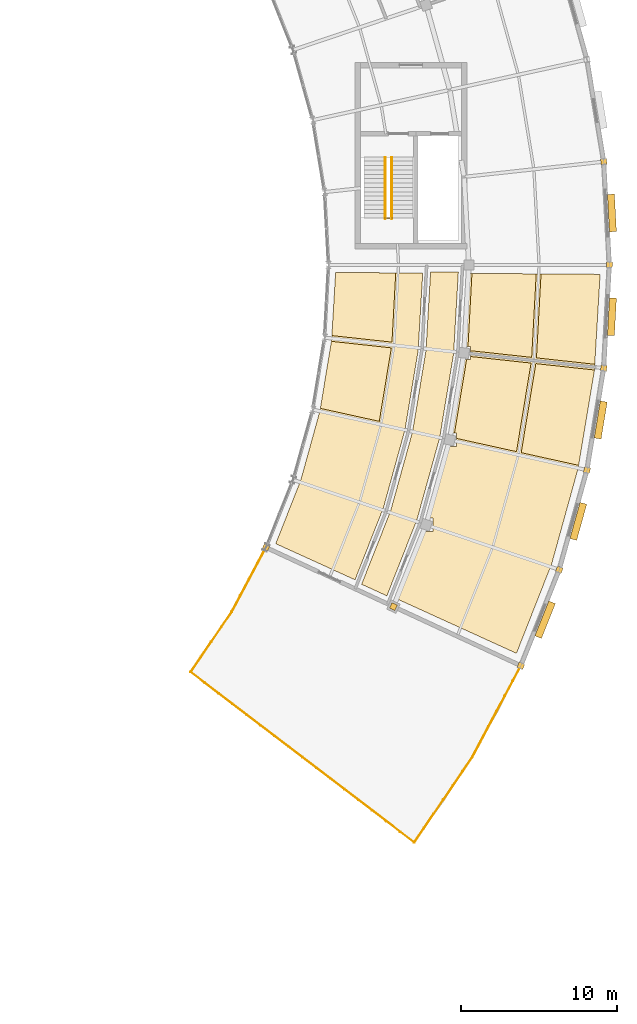
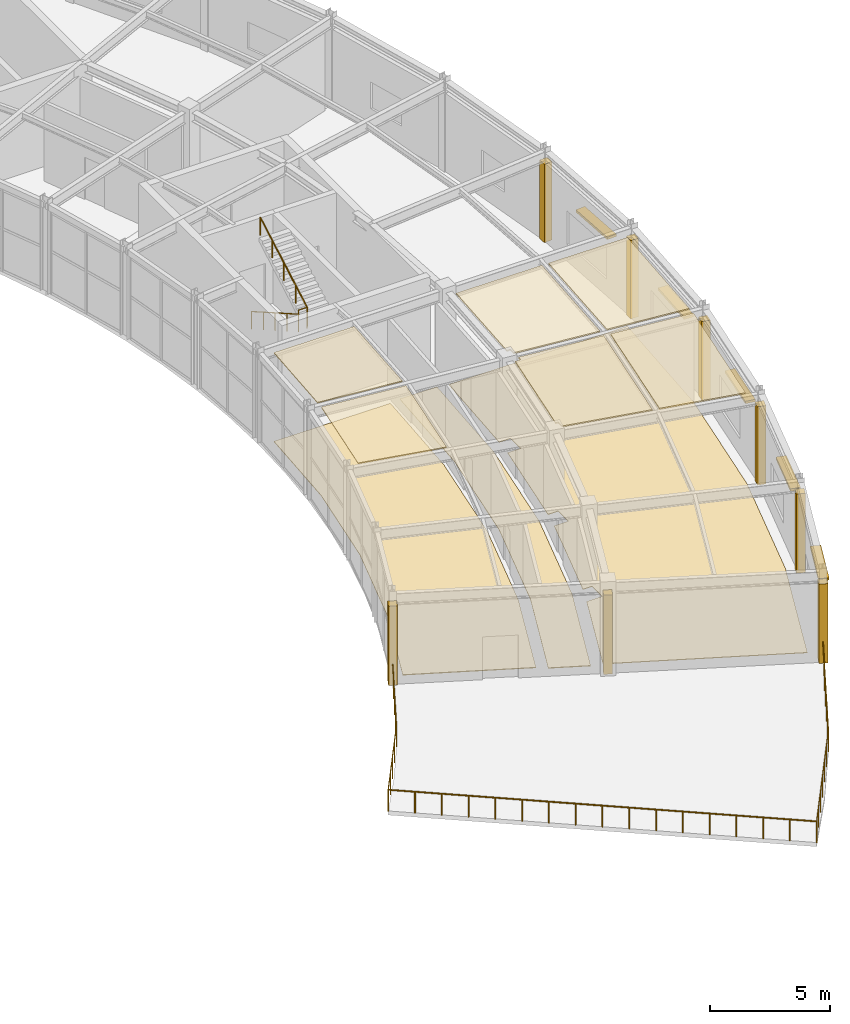
# One storey, part 106 of 108: 17 coverings, 8 railings, 5 shading devices.
"""IFC4 building model written with IfcOpenShell, lengths in metres."""

import ifcopenshell
import ifcopenshell.guid

model = None  # the IFC model being written
_history = None  # IfcOwnerHistory: only IFC2X3 demands one
_inside = {}  # id of a spatial element -> (the spatial element, [elements in it])
_under = {}  # id of a project, library or spatial element -> (it, [spatial elements below it])
_declared = {}  # id of a project -> (the project, [libraries it declares])
_typed = {}  # id of a type object -> (the type object, [elements of that type])
_made_of = {}  # id of a material, layer set ... -> (it, [elements and type objects made of it])


def new_model(schema):
    """Start an empty IFC model of exactly this schema.

    Asked for "IFC4X3", IfcOpenShell would pick the latest addendum, in which some entities
    have other attributes; the version numbers below select the first issue.
    IFC2X3 requires an IfcOwnerHistory on every rooted entity: one is made here for all.
    """
    global model, _history
    if schema == "IFC4X3":
        model = ifcopenshell.file(schema_version=(4, 3, 0, 0))
    else:
        model = ifcopenshell.file(schema=schema)
    _inside.clear()
    _under.clear()
    _declared.clear()
    _typed.clear()
    _made_of.clear()
    _history = None
    if model.schema == "IFC2X3":
        org = make("IfcOrganization", Name="unknown")
        user = make(
            "IfcPersonAndOrganization",
            ThePerson=make("IfcPerson", FamilyName="unknown"),
            TheOrganization=org,
        )
        app = make(
            "IfcApplication",
            ApplicationDeveloper=org,
            Version="unknown",
            ApplicationFullName="unknown",
            ApplicationIdentifier="unknown",
        )
        _history = make(
            "IfcOwnerHistory",
            OwningUser=user,
            OwningApplication=app,
            ChangeAction="ADDED",
            CreationDate=0,
        )
    return model


def make(cls, **values):
    """One entity of the class cls with the attributes given. An attribute that is None is left unset."""
    return model.create_entity(
        cls, **{name: value for name, value in values.items() if value is not None}
    )


def rooted(cls, **values):
    """An entity with a GlobalId (a new one), such as an element, a storey or a relation."""
    return make(cls, GlobalId=ifcopenshell.guid.new(), OwnerHistory=_history, **values)


def si_unit(unit_type, name, prefix=None):
    """IfcSIUnit, for example si_unit("LENGTHUNIT", "METRE", prefix="MILLI")."""
    return make("IfcSIUnit", UnitType=unit_type, Prefix=prefix, Name=name)


def assignment(units):
    """IfcUnitAssignment: the units of a project."""
    return None if units is None else make("IfcUnitAssignment", Units=units)


def point(xyz):
    """IfcCartesianPoint."""
    return None if xyz is None else make("IfcCartesianPoint", Coordinates=xyz)


def direction(xyz):
    """IfcDirection."""
    return None if xyz is None else make("IfcDirection", DirectionRatios=xyz)


def frame(location, z_axis=None, x_axis=None):
    """IfcAxis2Placement3D, a coordinate frame: its origin and axes. An axis left out is left unset."""
    return make(
        "IfcAxis2Placement3D",
        Location=point(location),
        Axis=direction(z_axis),
        RefDirection=direction(x_axis),
    )


def frame_2d(location, x_axis=None):
    """IfcAxis2Placement2D, a coordinate frame in the plane: its origin and x axis."""
    return make(
        "IfcAxis2Placement2D", Location=point(location), RefDirection=direction(x_axis)
    )


def origin():
    """The frame at (0, 0, 0) with its axes left unset."""
    return frame((0.0, 0.0, 0.0))


def origin_2d():
    """The frame at (0, 0) in the plane with its x axis left unset."""
    return frame_2d((0.0, 0.0))


def place(relative_to, where):
    """IfcLocalPlacement: puts the frame where relative to a parent placement (None: the world)."""
    return make(
        "IfcLocalPlacement", PlacementRelTo=relative_to, RelativePlacement=where
    )


def context(
    kind, dimensions, precision=None, world=None, true_north=None, identifier=None
):
    """IfcGeometricRepresentationContext, for example the 3D "Model" context."""
    return make(
        "IfcGeometricRepresentationContext",
        ContextIdentifier=identifier,
        ContextType=kind,
        CoordinateSpaceDimension=dimensions,
        Precision=precision,
        WorldCoordinateSystem=world,
        TrueNorth=true_north,
    )


def subcontext(parent, identifier, kind, view, scale=None):
    """IfcGeometricRepresentationSubContext, for example "Body" below "Model"."""
    return make(
        "IfcGeometricRepresentationSubContext",
        ContextIdentifier=identifier,
        ContextType=kind,
        ParentContext=parent,
        TargetScale=scale,
        TargetView=view,
    )


def project(units=None, contexts=None):
    """IfcProject with its units and contexts."""
    return rooted(
        "IfcProject",
        Name="project",
        RepresentationContexts=contexts,
        UnitsInContext=assignment(units),
    )


def spatial(cls, under=None, at=None, **own):
    """A site, building, storey or space (cls), placed at a placement, below another one or the project."""
    s = rooted(cls, ObjectPlacement=at, **own)
    if under is not None:
        _under.setdefault(under.id(), (under, []))[1].append(s)
    return s


def polyline(points):
    """IfcPolyline through the points."""
    return make("IfcPolyline", Points=[point(p) for p in points])


def profile(cls, at=None, kind="AREA", **sizes):
    """A parametric profile (cls). Its sizes go by their IFC names, for example OverallWidth=200.0."""
    return make(cls, ProfileType=kind, Position=at, **sizes)


def rectangle(**sizes):
    """IfcRectangleProfileDef."""
    return profile("IfcRectangleProfileDef", **sizes)


def circle(**sizes):
    """IfcCircleProfileDef."""
    return profile("IfcCircleProfileDef", **sizes)


def outline(outer, holes=None, kind="AREA"):
    """IfcArbitraryClosedProfileDef: a profile drawn as a closed curve; with holes, ...WithVoids."""
    if holes is None:
        return make("IfcArbitraryClosedProfileDef", ProfileType=kind, OuterCurve=outer)
    return make(
        "IfcArbitraryProfileDefWithVoids",
        ProfileType=kind,
        OuterCurve=outer,
        InnerCurves=holes,
    )


def extrude(swept, where, along, depth):
    """IfcExtrudedAreaSolid: the profile swept, set in the frame where, extruded along a direction by depth."""
    return make(
        "IfcExtrudedAreaSolid",
        SweptArea=swept,
        Position=where,
        ExtrudedDirection=direction(along),
        Depth=depth,
    )


def shape(context_of_items, identifier, shape_type, items):
    """IfcShapeRepresentation: the items that make up one representation, for example the "Body"."""
    return make(
        "IfcShapeRepresentation",
        ContextOfItems=context_of_items,
        RepresentationIdentifier=identifier,
        RepresentationType=shape_type,
        Items=items,
    )


def material(Name=None, Category=None):
    """IfcMaterial."""
    return make("IfcMaterial", Name=Name, Category=Category)


def layer(
    of_material, thickness, ventilated=None, Name=None, Category=None, Priority=None
):
    """IfcMaterialLayer: one layer of a wall or slab, of a material (None: an air gap)."""
    return make(
        "IfcMaterialLayer",
        Material=of_material,
        LayerThickness=thickness,
        IsVentilated=ventilated,
        Name=Name,
        Category=Category,
        Priority=Priority,
    )


def layer_set(layers, Name=None):
    """IfcMaterialLayerSet."""
    return make("IfcMaterialLayerSet", MaterialLayers=layers, LayerSetName=Name)


def made_of(thing, what):
    """Note that an element or type object is made of a material, layer set ...; save() writes the relation."""
    if what is not None:
        _made_of.setdefault(what.id(), (what, []))[1].append(thing)
    return thing


def type_object(cls, material=None, **own):
    """A type object (cls), such as IfcWallType, which elements share."""
    return made_of(rooted(cls, **own), material)


def element(
    cls,
    number,
    at=None,
    inside=None,
    cuts=None,
    type_object=None,
    material=None,
    context=None,
    identifier="Body",
    shape_type=None,
    held_by="IfcProductDefinitionShape",
    body=None,
    shapes=None,
    **own,
):
    """One element of the class cls, such as IfcWall. Its Tag is "e" and its number.

    at: its placement. inside: the storey or other place that contains it. cuts: it is an
    opening in that element (IfcRelVoidsElement). A single representation is given by context,
    identifier, shape_type and body (its items); several are given by shapes. held_by: the class
    of the entity that holds the representations. save() writes the other relations.
    """
    e = rooted(cls, Tag="e%d" % number, ObjectPlacement=at, **own)
    if body is not None:
        shapes = [shape(context, identifier, shape_type, body)]
    if shapes is not None:
        e.Representation = make(held_by, Representations=shapes)
    if inside is not None:
        _inside.setdefault(inside.id(), (inside, []))[1].append(e)
    if cuts is not None:
        rooted(
            "IfcRelVoidsElement", RelatingBuildingElement=cuts, RelatedOpeningElement=e
        )
    if type_object is not None:
        _typed.setdefault(type_object.id(), (type_object, []))[1].append(e)
    return made_of(e, material)


def aggregate(whole, parts):
    """IfcRelAggregates: a whole, such as a stair, and the parts it consists of."""
    return rooted("IfcRelAggregates", RelatingObject=whole, RelatedObjects=parts)


def save(model, path):
    """Write the relations noted so far, then the file.

    IfcRelAggregates (storeys below a building ...), IfcRelContainedInSpatialStructure (elements
    in a storey), IfcRelDefinesByType, IfcRelAssociatesMaterial and IfcRelDeclares: one each for
    every whole, place, type object, material and project.
    """
    for whole, parts in _under.values():
        aggregate(whole, parts)
    for where, things in _inside.values():
        rooted(
            "IfcRelContainedInSpatialStructure",
            RelatedElements=things,
            RelatingStructure=where,
        )
    for kind, things in _typed.values():
        rooted("IfcRelDefinesByType", RelatedObjects=things, RelatingType=kind)
    for what, things in _made_of.values():
        rooted("IfcRelAssociatesMaterial", RelatedObjects=things, RelatingMaterial=what)
    for by, libraries in _declared.values():
        rooted("IfcRelDeclares", RelatingContext=by, RelatedDefinitions=libraries)
    model.write(path)


model = new_model("IFC4")

# Units and contexts
model_context = context("Model", 3, precision=1e-05, world=origin(), true_north=direction((0.0, 1.0)))
body_context = subcontext(model_context, "Body", "Model", "MODEL_VIEW")
ifc_project = project(units=[si_unit("LENGTHUNIT", "METRE"), si_unit("AREAUNIT", "SQUARE_METRE"), si_unit("VOLUMEUNIT", "CUBIC_METRE"), si_unit("PLANEANGLEUNIT", "RADIAN"), si_unit("MASSUNIT", "GRAM", prefix="KILO")], contexts=[model_context])

# Site, building, storey
site_placement = place(None, origin())
site = spatial("IfcSite", under=ifc_project, at=site_placement, CompositionType="ELEMENT")
building_placement = place(site_placement, origin())
building = spatial("IfcBuilding", under=site, at=building_placement, Name="Tarnveldt Headland Concert Hall", CompositionType="ELEMENT")
storey_placement = place(building_placement, frame((0.0, 0.0, 9.60009765625)))
storey = spatial("IfcBuildingStorey", under=building, at=storey_placement, Name="L02", CompositionType="ELEMENT", Elevation=9.60009765625)

# Coverings
ifc_material_1 = material(Name="Micro-perforated mvule acoustic ceiling panel", Category="timber")
ifc_layer_1 = layer(ifc_material_1, 0.050048828125, Name="Micro-perforated mvule acoustic ceiling panel", Category="timber")
ifc_layer_set_1 = layer_set([ifc_layer_1], Name="Micro-perforated mvule acoustic ceiling panel")
covering_type_1 = type_object("IfcCoveringType", Name="CV-CEIL50", PredefinedType="CEILING", material=ifc_layer_set_1)
covering_1_placement = place(storey_placement, frame((0.0, 0.0, 4.5)))
element("IfcCovering", 1, at=covering_1_placement, inside=storey, type_object=covering_type_1, Name="Acoustic mvule ceiling L02-34-293", PredefinedType="CEILING", context=body_context, shape_type="SweptSolid", body=[
    extrude(outline(polyline([(164.575927734375, 55.053466796875), (160.7275390625, 55.47314453125), (160.968505859375, 59.5166015625), (164.81689453125, 59.489501953125), (164.575927734375, 55.053466796875)])), origin(), (0.0, 0.0, 1.0), 0.0498046875),
])
covering_2_placement = place(storey_placement, frame((0.0, 0.0, 4.5)))
element("IfcCovering", 2, at=covering_2_placement, inside=storey, type_object=covering_type_1, Name="Acoustic mvule ceiling L02-34-294", PredefinedType="CEILING", context=body_context, shape_type="SweptSolid", body=[
    extrude(outline(polyline([(160.701904296875, 55.103759765625), (164.535888671875, 54.685791015625), (163.762451171875, 49.98046875), (159.989013671875, 50.81298828125), (160.701904296875, 55.103759765625)])), origin(), (0.0, 0.0, 1.0), 0.0498046875),
])
ifc_layer_2 = layer(ifc_material_1, 0.06494140625, Name="Micro-perforated mvule acoustic ceiling panel", Category="timber")
ifc_layer_set_2 = layer_set([ifc_layer_2], Name="Micro-perforated mvule acoustic ceiling panel")
covering_type_2 = type_object("IfcCoveringType", Name="CV-CEIL65", PredefinedType="CEILING", material=ifc_layer_set_2)
covering_3_placement = place(storey_placement, frame((0.0, 0.0, 4.48486328125)))
element("IfcCovering", 3, at=covering_3_placement, inside=storey, type_object=covering_type_2, Name="Acoustic mvule ceiling L02-36-297", PredefinedType="CEILING", context=body_context, shape_type="SweptSolid", body=[
    extrude(outline(polyline([(173.83154296875, 54.04443359375), (174.1240234375, 59.4248046875), (177.907470703125, 59.398193359375), (177.564208984375, 53.637451171875), (173.83154296875, 54.04443359375)])), origin(), (0.0, 0.0, 1.0), 0.06494140625),
])
covering_4_placement = place(storey_placement, frame((0.0, 0.0, 4.48486328125)))
element("IfcCovering", 4, at=covering_4_placement, inside=storey, type_object=covering_type_2, Name="Acoustic mvule ceiling L02-36-298", PredefinedType="CEILING", context=body_context, shape_type="SweptSolid", body=[
    extrude(outline(polyline([(169.61865234375, 54.7890625), (169.447265625, 54.7890625), (169.70068359375, 59.45556640625), (173.813720703125, 59.4267578125), (173.52294921875, 54.078125), (169.61865234375, 54.50390625), (169.61865234375, 54.7890625)])), origin(), (0.0, 0.0, 1.0), 0.06494140625),
])
covering_5_placement = place(storey_placement, frame((0.0, 0.0, 4.48486328125)))
element("IfcCovering", 5, at=covering_5_placement, inside=storey, type_object=covering_type_2, Name="Acoustic mvule ceiling L02-36-299", PredefinedType="CEILING", context=body_context, shape_type="SweptSolid", body=[
    extrude(outline(polyline([(173.79150390625, 53.676513671875), (177.5419921875, 53.267578125), (177.54052734375, 53.24169921875), (176.530517578125, 47.16259765625), (172.854248046875, 47.97412109375), (173.79150390625, 53.676513671875)])), origin(), (0.0, 0.0, 1.0), 0.06494140625),
])
covering_6_placement = place(storey_placement, frame((0.0, 0.0, 4.48486328125)))
element("IfcCovering", 6, at=covering_6_placement, inside=storey, type_object=covering_type_2, Name="Acoustic mvule ceiling L02-36-300", PredefinedType="CEILING", context=body_context, shape_type="SweptSolid", body=[
    extrude(outline(polyline([(168.581298828125, 49.219482421875), (169.35693359375, 53.93896484375), (169.61865234375, 53.93896484375), (169.61865234375, 54.131591796875), (173.48291015625, 53.710205078125), (172.551025390625, 48.041015625), (168.703369140625, 48.89013671875), (168.703369140625, 49.219482421875), (168.581298828125, 49.219482421875)])), origin(), (0.0, 0.0, 1.0), 0.06494140625),
])
ifc_material_2 = material(Name="Treated East African mvule hardwood", Category="wood")
ifc_layer_3 = layer(ifc_material_2, 0.028076171875, Name="Treated East African mvule hardwood", Category="wood")
ifc_layer_set_3 = layer_set([ifc_layer_3], Name="Treated East African mvule hardwood")
covering_type_3 = type_object("IfcCoveringType", Name="CV-FLOR28", PredefinedType="FLOORING", material=ifc_layer_set_3)
covering_7_placement = place(storey_placement, origin())
element("IfcCovering", 7, at=covering_7_placement, inside=storey, type_object=covering_type_3, Name="Architectural flooring L02-36-93", PredefinedType="FLOORING", context=body_context, shape_type="SweptSolid", body=[
    extrude(outline(polyline([(166.4375, 42.931884765625), (167.189697265625, 42.931884765625), (167.189697265625, 43.78173828125), (166.74755859375, 43.78173828125), (168.01611328125, 48.369384765625), (168.703369140625, 48.369384765625), (168.703369140625, 49.219482421875), (168.20751953125, 49.219482421875), (168.99169921875, 53.93896484375), (169.61865234375, 53.93896484375), (169.61865234375, 54.7890625), (169.070068359375, 54.7890625), (169.34814453125, 59.4580078125), (177.907470703125, 59.398193359375), (177.54052734375, 53.24169921875), (176.500244140625, 46.97998046875), (174.80859375, 40.86181640625), (172.550537109375, 35.122802734375), (165.095458984375, 38.5185546875), (165.095458984375, 38.540283203125), (165.047607421875, 38.540283203125), (164.760986328125, 38.6708984375), (166.4375, 42.931884765625)])), origin(), (0.0, 0.0, 1.0), 0.02783203125),
])
ifc_material_3 = material(Name="Polished coral-aggregate cementitious terrazzo flooring", Category="concrete")
ifc_layer_4 = layer(ifc_material_3, 0.034912109375, Name="Polished coral-aggregate cementitious terrazzo flooring", Category="concrete")
ifc_layer_set_4 = layer_set([ifc_layer_4], Name="Polished coral-aggregate cementitious terrazzo flooring")
covering_type_4 = type_object("IfcCoveringType", Name="CV-FLOR35", PredefinedType="FLOORING", material=ifc_layer_set_4)
covering_8_placement = place(storey_placement, origin())
element("IfcCovering", 8, at=covering_8_placement, inside=storey, type_object=covering_type_4, Name="Architectural flooring L02-31-89", PredefinedType="FLOORING", context=body_context, shape_type="SweptSolid", body=[
    extrude(outline(polyline([(162.632080078125, 39.54541015625), (164.4912109375, 44.251708984375), (164.497314453125, 44.27001953125), (165.893310546875, 49.31103515625), (165.8974609375, 49.32958984375), (166.75244140625, 54.489990234375), (166.754638671875, 54.509033203125), (167.049072265625, 59.560546875), (168.82861328125, 59.55126953125), (168.522705078125, 54.302001953125), (167.633544921875, 48.9365234375), (166.181884765625, 43.695556640625), (164.250244140625, 38.804931640625), (162.632080078125, 39.54541015625)])), origin(), (0.0, 0.0, 1.0), 0.034912109375),
])
covering_9_placement = place(storey_placement, origin())
element("IfcCovering", 9, at=covering_9_placement, inside=storey, type_object=covering_type_4, Name="Architectural flooring L02-34-91", PredefinedType="FLOORING", context=body_context, shape_type="SweptSolid", body=[
    extrude(outline(polyline([(157.134765625, 42.144287109375), (158.73779296875, 46.21875), (158.743896484375, 46.236572265625), (159.956298828125, 50.62109375), (159.960205078125, 50.6396484375), (160.705810546875, 55.127197265625), (160.7080078125, 55.14599609375), (160.968505859375, 59.5166015625), (166.5478515625, 59.4775390625), (166.251953125, 54.512451171875), (165.406982421875, 49.427978515625), (164.033447265625, 44.460205078125), (162.21240234375, 39.83154296875), (157.134765625, 42.144287109375)])), origin(), (0.0, 0.0, 1.0), 0.034912109375),
])
ifc_material_4 = material(Name="Coral-toned precast concrete C40/50", Category="concrete")
ifc_layer_5 = layer(ifc_material_4, 0.360107421875, Name="Coral-toned precast concrete C40/50", Category="concrete")
ifc_layer_set_5 = layer_set([ifc_layer_5], Name="Coral-toned precast concrete C40/50")
covering_type_5 = type_object("IfcCoveringType", Name="CV-JNT360", PredefinedType="CLADDING", material=ifc_layer_set_5)
for number, where, z_axis, x_axis, name in (
    (10, (156.50634765625, 41.903076171875, 0.0), (0.0, 0.0, 1.0), (-0.907117485088, 0.42087749791, 0.0), "Precast facade joint closure pilaster L02-286"),
    (11, (164.67041015625, 38.115234375, 0.0), (0.0, 0.0, 1.0), (-0.907117485088, 0.42087749791, 0.0), "Precast facade joint closure pilaster L02-289"),
    (12, (172.834716796875, 34.327392578125, 0.0), (0.0, 0.0, 1.0), (-0.371043710237, -0.928615402141, 0.0), "Precast facade joint closure pilaster L02-292"),
    (13, (175.291259765625, 40.476318359375, 0.0), (0.0, 0.0, 1.0), (-0.371043710237, -0.928615402141, 0.0), "Precast facade joint closure pilaster L02-294"),
):
    element("IfcCovering", number, at=place(storey_placement, frame(where, z_axis=z_axis, x_axis=x_axis)), inside=storey, type_object=covering_type_5, Name=name, PredefinedType="CLADDING", context=body_context, shape_type="SweptSolid", body=[
        extrude(rectangle(XDim=0.3798828125, YDim=0.3798828125, at=origin_2d()), origin(), (0.0, 0.0, 1.0), 4.028076171875),
    ])
for number, where, z_axis, x_axis, name in (
    (14, (177.06689453125, 46.85498046875, 0.0), (0.0, 0.0, 1.0), (-0.268079200424, -0.963396876837, 0.0), "Precast facade joint closure pilaster L02-296"),
    (15, (178.140625, 53.388427734375, 0.0), (0.0, 0.0, 1.0), (-0.162120515372, -0.986770965572, 0.0), "Precast facade joint closure pilaster L02-298"),
    (16, (178.140625, 66.611572265625, 0.0), (0.0, 0.0, 1.0), (0.054253089686, -0.998527216584, 0.0), "Precast facade joint closure pilaster L02-299"),
    (17, (178.5, 60.0, 0.0), (0.0, 0.0, 1.0), (-0.054253089686, -0.998527216584, 0.0), "Precast facade joint closure pilaster L02-300"),
):
    element("IfcCovering", number, at=place(storey_placement, frame(where, z_axis=z_axis, x_axis=x_axis)), inside=storey, type_object=covering_type_5, Name=name, PredefinedType="CLADDING", context=body_context, shape_type="SweptSolid", body=[
        extrude(rectangle(XDim=0.3798828125, YDim=0.3798828125, at=origin_2d()), origin(), (0.0, 0.0, 1.0), 3.988037109375),
    ])

# Railings
ifc_material_5 = material(Name="Marine stainless steel", Category="steel")
ifc_layer_6 = layer(ifc_material_5, 0.074951171875, Name="Marine stainless steel", Category="steel")
ifc_layer_set_6 = layer_set([ifc_layer_6], Name="Marine stainless steel")
railing_type_1 = type_object("IfcRailingType", Name="RL-BAL110", PredefinedType="BALUSTRADE", material=ifc_layer_set_6)
railing_1_placement = place(storey_placement, frame((151.690185546875, 33.922607421875, 0.0)))
element("IfcRailing", 18, at=railing_1_placement, inside=storey, type_object=railing_type_1, Name="GUARD Crescent terrace south balustrade L02", PredefinedType="BALUSTRADE", context=body_context, shape_type="SweptSolid", body=[
    extrude(circle(Radius=0.02392578125, at=origin_2d()), frame((0.0, 0.0, 1.076171875), z_axis=(0.795125245874, -0.606445251753, 0.0), x_axis=(0.606445251753, 0.795125245874, 0.0)), (0.0, 0.0, 1.0), 18.0),
    extrude(circle(Radius=0.02099609375, at=origin_2d()), origin(), (0.0, 0.0, 1.0), 1.052001953125),
    extrude(circle(Radius=0.02099609375, at=origin_2d()), frame((0.89453125, -0.68212890625, 0.0)), (0.0, 0.0, 1.0), 1.052001953125),
    extrude(circle(Radius=0.02099609375, at=origin_2d()), frame((1.7890625, -1.364501953125, 0.0)), (0.0, 0.0, 1.0), 1.052001953125),
    extrude(circle(Radius=0.02099609375, at=origin_2d()), frame((2.68359375, -2.046875, 0.0)), (0.0, 0.0, 1.0), 1.052001953125),
    extrude(circle(Radius=0.02099609375, at=origin_2d()), frame((3.578125, -2.72900390625, 0.0)), (0.0, 0.0, 1.0), 1.052001953125),
    extrude(circle(Radius=0.02099609375, at=origin_2d()), frame((4.47265625, -3.4111328125, 0.0)), (0.0, 0.0, 1.0), 1.052001953125),
    extrude(circle(Radius=0.02099609375, at=origin_2d()), frame((5.3671875, -4.093505859375, 0.0)), (0.0, 0.0, 1.0), 1.052001953125),
    extrude(circle(Radius=0.02099609375, at=origin_2d()), frame((6.26171875, -4.77587890625, 0.0)), (0.0, 0.0, 1.0), 1.052001953125),
    extrude(circle(Radius=0.02099609375, at=origin_2d()), frame((7.15625, -5.4580078125, 0.0)), (0.0, 0.0, 1.0), 1.052001953125),
    extrude(circle(Radius=0.02099609375, at=origin_2d()), frame((8.050537109375, -6.14013671875, 0.0)), (0.0, 0.0, 1.0), 1.052001953125),
    extrude(circle(Radius=0.02099609375, at=origin_2d()), frame((8.945068359375, -6.822509765625, 0.0)), (0.0, 0.0, 1.0), 1.052001953125),
    extrude(circle(Radius=0.02099609375, at=origin_2d()), frame((9.839599609375, -7.5048828125, 0.0)), (0.0, 0.0, 1.0), 1.052001953125),
    extrude(circle(Radius=0.02099609375, at=origin_2d()), frame((10.734130859375, -8.18701171875, 0.0)), (0.0, 0.0, 1.0), 1.052001953125),
    extrude(circle(Radius=0.02099609375, at=origin_2d()), frame((11.628662109375, -8.869140625, 0.0)), (0.0, 0.0, 1.0), 1.052001953125),
    extrude(circle(Radius=0.02099609375, at=origin_2d()), frame((12.523193359375, -9.551513671875, 0.0)), (0.0, 0.0, 1.0), 1.052001953125),
    extrude(circle(Radius=0.02099609375, at=origin_2d()), frame((13.417724609375, -10.23388671875, 0.0)), (0.0, 0.0, 1.0), 1.052001953125),
    extrude(circle(Radius=0.02099609375, at=origin_2d()), frame((14.312255859375, -10.916015625, 0.0)), (0.0, 0.0, 1.0), 1.052001953125),
])
railing_2_placement = place(storey_placement, frame((151.690185546875, 33.922607421875, 0.0)))
element("IfcRailing", 19, at=railing_2_placement, inside=storey, type_object=railing_type_1, Name="GUARD Crescent terrace inner balustrade L02-3", PredefinedType="BALUSTRADE", context=body_context, shape_type="SweptSolid", body=[
    extrude(circle(Radius=0.02392578125, at=origin_2d()), frame((0.0, 0.0, 1.076171875), z_axis=(0.56240158329, 0.826864232575, 0.0), x_axis=(-0.826864232575, 0.56240158329, 0.0)), (0.0, 0.0, 1.0), 4.66748046875),
    extrude(circle(Radius=0.02099609375, at=origin_2d()), origin(), (0.0, 0.0, 1.0), 1.052001953125),
    extrude(circle(Radius=0.02099609375, at=origin_2d()), frame((0.65625, 0.96484375, 0.0)), (0.0, 0.0, 1.0), 1.052001953125),
    extrude(circle(Radius=0.02099609375, at=origin_2d()), frame((1.3125, 1.9296875, 0.0)), (0.0, 0.0, 1.0), 1.052001953125),
    extrude(circle(Radius=0.02099609375, at=origin_2d()), frame((1.96875, 2.89453125, 0.0)), (0.0, 0.0, 1.0), 1.052001953125),
    extrude(circle(Radius=0.02099609375, at=origin_2d()), frame((2.625, 3.859375, 0.0)), (0.0, 0.0, 1.0), 1.052001953125),
])
railing_3_placement = place(storey_placement, frame((166.00244140625, 23.006591796875, 0.0)))
element("IfcRailing", 20, at=railing_3_placement, inside=storey, type_object=railing_type_1, Name="GUARD Crescent terrace outer balustrade L02-3", PredefinedType="BALUSTRADE", context=body_context, shape_type="SweptSolid", body=[
    extrude(circle(Radius=0.02392578125, at=origin_2d()), frame((0.0, 0.0, 1.076171875), z_axis=(0.562428018221, 0.826846251923, 0.0), x_axis=(-0.826846251923, 0.562428018221, 0.0)), (0.0, 0.0, 1.0), 6.62109375),
    extrude(circle(Radius=0.02099609375, at=origin_2d()), origin(), (0.0, 0.0, 1.0), 1.052001953125),
    extrude(circle(Radius=0.02099609375, at=origin_2d()), frame((0.62060546875, 0.912353515625, 0.0)), (0.0, 0.0, 1.0), 1.052001953125),
    extrude(circle(Radius=0.02099609375, at=origin_2d()), frame((1.2412109375, 1.824951171875, 0.0)), (0.0, 0.0, 1.0), 1.052001953125),
    extrude(circle(Radius=0.02099609375, at=origin_2d()), frame((1.86181640625, 2.7373046875, 0.0)), (0.0, 0.0, 1.0), 1.052001953125),
    extrude(circle(Radius=0.02099609375, at=origin_2d()), frame((2.482666015625, 3.649658203125, 0.0)), (0.0, 0.0, 1.0), 1.052001953125),
    extrude(circle(Radius=0.02099609375, at=origin_2d()), frame((3.103271484375, 4.562255859375, 0.0)), (0.0, 0.0, 1.0), 1.052001953125),
    extrude(circle(Radius=0.02099609375, at=origin_2d()), frame((3.723876953125, 5.474609375, 0.0)), (0.0, 0.0, 1.0), 1.052001953125),
])
railing_4_placement = place(storey_placement, frame((154.315185546875, 37.781982421875, 0.0)))
element("IfcRailing", 21, at=railing_4_placement, inside=storey, type_object=railing_type_1, Name="GUARD Crescent terrace inner balustrade L02-4", PredefinedType="BALUSTRADE", context=body_context, shape_type="SweptSolid", body=[
    extrude(circle(Radius=0.02392578125, at=origin_2d()), frame((0.0, 0.0, 1.076171875), z_axis=(0.469461155726, 0.882953126312, 0.0), x_axis=(-0.882953126312, 0.469461155726, 0.0)), (0.0, 0.0, 1.0), 4.66748046875),
    extrude(circle(Radius=0.02099609375, at=origin_2d()), origin(), (0.0, 0.0, 1.0), 1.052001953125),
    extrude(circle(Radius=0.02099609375, at=origin_2d()), frame((0.5478515625, 1.0302734375, 0.0)), (0.0, 0.0, 1.0), 1.052001953125),
    extrude(circle(Radius=0.02099609375, at=origin_2d()), frame((1.095703125, 2.060546875, 0.0)), (0.0, 0.0, 1.0), 1.052001953125),
    extrude(circle(Radius=0.02099609375, at=origin_2d()), frame((1.643310546875, 3.0908203125, 0.0)), (0.0, 0.0, 1.0), 1.052001953125),
    extrude(circle(Radius=0.02099609375, at=origin_2d()), frame((2.191162109375, 4.12109375, 0.0)), (0.0, 0.0, 1.0), 1.052001953125),
])
railing_5_placement = place(storey_placement, frame((169.726318359375, 28.481201171875, 0.0)))
element("IfcRailing", 22, at=railing_5_placement, inside=storey, type_object=railing_type_1, Name="GUARD Crescent terrace outer balustrade L02-4", PredefinedType="BALUSTRADE", context=body_context, shape_type="SweptSolid", body=[
    extrude(circle(Radius=0.02392578125, at=origin_2d()), frame((0.0, 0.0, 1.076171875), z_axis=(0.469462535132, 0.882952392889, 0.0), x_axis=(-0.882952392889, 0.469462535132, 0.0)), (0.0, 0.0, 1.0), 6.62109375),
    extrude(circle(Radius=0.02099609375, at=origin_2d()), origin(), (0.0, 0.0, 1.0), 1.052001953125),
    extrude(circle(Radius=0.02099609375, at=origin_2d()), frame((0.51806640625, 0.974365234375, 0.0)), (0.0, 0.0, 1.0), 1.052001953125),
    extrude(circle(Radius=0.02099609375, at=origin_2d()), frame((1.0361328125, 1.94873046875, 0.0)), (0.0, 0.0, 1.0), 1.052001953125),
    extrude(circle(Radius=0.02099609375, at=origin_2d()), frame((1.55419921875, 2.923095703125, 0.0)), (0.0, 0.0, 1.0), 1.052001953125),
    extrude(circle(Radius=0.02099609375, at=origin_2d()), frame((2.072265625, 3.8974609375, 0.0)), (0.0, 0.0, 1.0), 1.052001953125),
    extrude(circle(Radius=0.02099609375, at=origin_2d()), frame((2.59033203125, 4.871826171875, 0.0)), (0.0, 0.0, 1.0), 1.052001953125),
    extrude(circle(Radius=0.02099609375, at=origin_2d()), frame((3.1083984375, 5.84619140625, 0.0)), (0.0, 0.0, 1.0), 1.052001953125),
])
ifc_layer_7 = layer(ifc_material_5, 0.06005859375, Name="Marine stainless steel", Category="steel")
ifc_layer_set_7 = layer_set([ifc_layer_7], Name="Marine stainless steel")
railing_type_2 = type_object("IfcRailingType", Name="RL-GRD110", PredefinedType="GUARDRAIL", material=ifc_layer_set_7)
railing_6_placement = place(storey_placement, frame((164.14990234375, 63.0, 2.39990234375)))
element("IfcRailing", 23, at=railing_6_placement, inside=storey, type_object=railing_type_2, Name="GUARD STR-C4-L02 half-landing well", PredefinedType="GUARDRAIL", context=body_context, shape_type="SweptSolid", body=[
    extrude(circle(Radius=0.02392578125, at=origin_2d()), frame((0.0, 0.0, 1.076171875), z_axis=(1.0, 0.0, 0.0), x_axis=(0.0, 1.0, 0.0)), (0.0, 0.0, 1.0), 0.420166015625),
    extrude(circle(Radius=0.02099609375, at=origin_2d()), origin(), (0.0, 0.0, 1.0), 1.052001953125),
    extrude(circle(Radius=0.02099609375, at=origin_2d()), frame((0.420166015625, 0.0, 0.0)), (0.0, 0.0, 1.0), 1.052001953125),
])
ifc_layer_8 = layer(ifc_material_5, 0.048095703125, Name="Marine stainless steel", Category="steel")
ifc_layer_set_8 = layer_set([ifc_layer_8], Name="Marine stainless steel")
railing_type_3 = type_object("IfcRailingType", Name="RL-HND092", PredefinedType="HANDRAIL", material=ifc_layer_set_8)
railing_7_placement = place(storey_placement, frame((164.14990234375, 66.8798828125, 0.159912109375)))
element("IfcRailing", 24, at=railing_7_placement, inside=storey, type_object=railing_type_3, Name="HANDRAIL STR-C4-L02 flight 1", PredefinedType="HANDRAIL", context=body_context, shape_type="SweptSolid", body=[
    extrude(circle(Radius=0.02392578125, at=origin_2d()), frame((0.0, 0.0, 0.89599609375), z_axis=(0.0, -0.868239814368, 0.496144761885), x_axis=(1.0, 0.0, 0.0)), (0.0, 0.0, 1.0), 4.514892578125),
    extrude(circle(Radius=0.02099609375, at=origin_2d()), origin(), (0.0, 0.0, 1.0), 0.871826171875),
    extrude(circle(Radius=0.02099609375, at=origin_2d()), frame((0.0, -0.97998046875, 0.56005859375)), (0.0, 0.0, 1.0), 0.871826171875),
    extrude(circle(Radius=0.02099609375, at=origin_2d()), frame((0.0, -1.9599609375, 1.1201171875)), (0.0, 0.0, 1.0), 0.871826171875),
    extrude(circle(Radius=0.02099609375, at=origin_2d()), frame((0.0, -2.93994140625, 1.679931640625)), (0.0, 0.0, 1.0), 0.871826171875),
    extrude(circle(Radius=0.02099609375, at=origin_2d()), frame((0.0, -3.919921875, 2.239990234375)), (0.0, 0.0, 1.0), 0.871826171875),
])
railing_8_placement = place(storey_placement, frame((164.570068359375, 62.9599609375, 2.559814453125)))
element("IfcRailing", 25, at=railing_8_placement, inside=storey, type_object=railing_type_3, Name="HANDRAIL STR-C4-L02 flight 2", PredefinedType="HANDRAIL", context=body_context, shape_type="SweptSolid", body=[
    extrude(circle(Radius=0.02392578125, at=origin_2d()), frame((0.0, 0.0, 0.89599609375), z_axis=(0.0, 0.868239814368, 0.496144761885), x_axis=(-1.0, 0.0, 0.0)), (0.0, 0.0, 1.0), 4.514892578125),
    extrude(circle(Radius=0.02099609375, at=origin_2d()), origin(), (0.0, 0.0, 1.0), 0.871826171875),
    extrude(circle(Radius=0.02099609375, at=origin_2d()), frame((0.0, 0.97998046875, 0.56005859375)), (0.0, 0.0, 1.0), 0.871826171875),
    extrude(circle(Radius=0.02099609375, at=origin_2d()), frame((0.0, 1.9599609375, 1.1201171875)), (0.0, 0.0, 1.0), 0.871826171875),
    extrude(circle(Radius=0.02099609375, at=origin_2d()), frame((0.0, 2.93994140625, 1.679931640625)), (0.0, 0.0, 1.0), 0.871826171875),
    extrude(circle(Radius=0.02099609375, at=origin_2d()), frame((0.0, 3.919921875, 2.239990234375)), (0.0, 0.0, 1.0), 0.871826171875),
])

# Shading devices
ifc_material_6 = material(Name="Terracotta-anodised aluminium EN AW-6063-T6", Category="masonry")
shading_device_type = type_object("IfcShadingDeviceType", Name="SD-LVR450", PredefinedType="USERDEFINED", material=ifc_material_6)
for number, where, z_axis, x_axis, name in (
    (26, (174.38330078125, 37.27392578125, 2.56982421875), (0.0, 0.0, 1.0), (0.928615402141, -0.371043710237, 0.0), "Crescent coastal solar louvre L02-6"),
    (27, (176.511474609375, 43.572998046875, 2.56982421875), (0.0, 0.0, 1.0), (0.963350073517, -0.268247340815, 0.0), "Crescent coastal solar louvre L02-7"),
    (28, (177.944091796875, 50.065673828125, 2.56982421875), (0.0, 0.0, 1.0), (0.986770965572, -0.162120515372, 0.0), "Crescent coastal solar louvre L02-8"),
    (29, (178.664794921875, 56.675537109375, 2.56982421875), (0.0, 0.0, 1.0), (0.998527216584, -0.054253089686, 0.0), "Crescent coastal solar louvre L02-9"),
    (30, (178.664794921875, 63.324462890625, 2.56982421875), (0.0, 0.0, 1.0), (0.998527216584, 0.054253089686, 0.0), "Crescent coastal solar louvre L02-10"),
):
    element("IfcShadingDevice", number, at=place(storey_placement, frame(where, z_axis=z_axis, x_axis=x_axis)), inside=storey, type_object=shading_device_type, Name=name, ObjectType="LOUVRE", PredefinedType="USERDEFINED", context=body_context, shape_type="SweptSolid", body=[
        extrude(rectangle(XDim=0.449951171875, YDim=2.39990234375, at=origin_2d()), origin(), (0.0, 0.0, 1.0), 0.1201171875),
    ])

save(model, "model.ifc")
